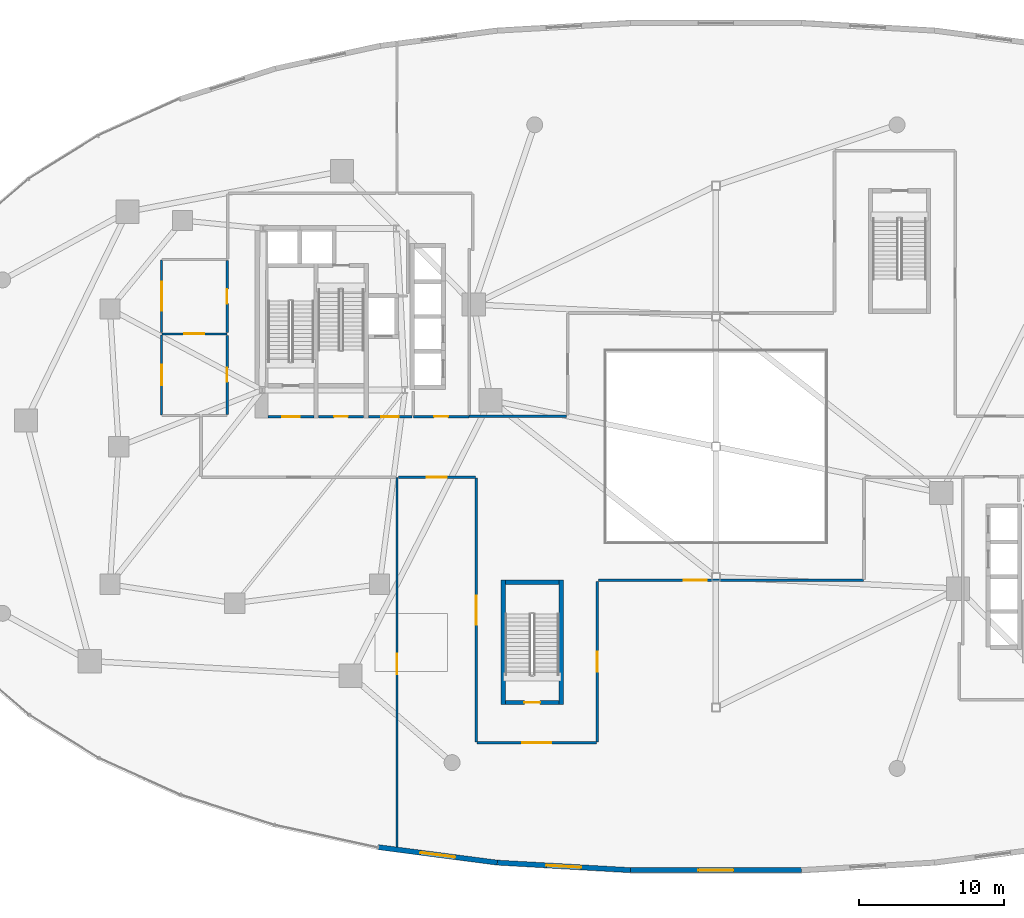
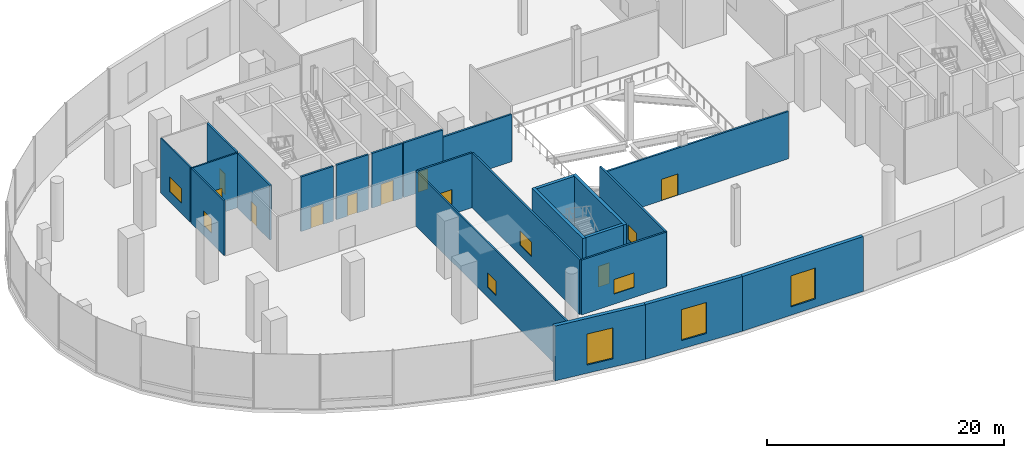
# One storey, part 12 of 20: 23 walls, 11 windows, 8 doors, 19 openings.
"""IFC4 building model written with IfcOpenShell, lengths in metres."""

from ifc_helpers import new_model, si_unit, direction, frame, frame_2d, origin, place, context, subcontext, project, spatial, rectangle, extrude, material, layer, layer_set, type_object, element, fill, save


model = new_model("IFC4")

# Units and contexts
model_context = context("Model", 3, precision=1e-05, world=origin(), true_north=direction((0.0, 1.0)))
body_context = subcontext(model_context, "Body", "Model", "MODEL_VIEW")
ifc_project = project(units=[si_unit("LENGTHUNIT", "METRE"), si_unit("AREAUNIT", "SQUARE_METRE"), si_unit("VOLUMEUNIT", "CUBIC_METRE"), si_unit("PLANEANGLEUNIT", "RADIAN"), si_unit("MASSUNIT", "GRAM", prefix="KILO"), si_unit("THERMODYNAMICTEMPERATUREUNIT", "KELVIN"), si_unit("POWERUNIT", "WATT")], contexts=[model_context])

# Site, building, storey
site_placement = place(None, origin())
site = spatial("IfcSite", under=ifc_project, at=site_placement, CompositionType="ELEMENT")
building_placement = place(site_placement, origin())
building = spatial("IfcBuilding", under=site, at=building_placement, Name="Cundina Bronze Exchange", CompositionType="ELEMENT")
storey_placement = place(building_placement, frame((0.0, 0.0, 6.0)))
storey = spatial("IfcBuildingStorey", under=building, at=storey_placement, Name="L01", CompositionType="ELEMENT", Elevation=6.0)

# Wall, opening, door
ifc_material_1 = material(Name="Gypsum Fireboard Partition EI120")
ifc_layer_1 = layer(ifc_material_1, 0.179931640625, Name="Gypsum Fireboard Partition EI120")
ifc_layer_set_1 = layer_set([ifc_layer_1], Name="Gypsum Fireboard Partition EI120")
wall_type_1 = type_object("IfcWallType", Name="WL-COR-180", PredefinedType="PARTITIONING", material=ifc_layer_set_1)
wall_1_placement = place(storey_placement, frame((-23.97998046875, 2.06005859375, 0.0), z_axis=(0.0, 0.0, 1.0), x_axis=(1.0, 0.0, 0.0)))
wall_1 = element("IfcWall", 1, at=wall_1_placement, inside=storey, type_object=wall_type_1, Name="L01 W Firefighting Lobby Exit Wall", PredefinedType="PARTITIONING", context=body_context, shape_type="SweptSolid", body=[
    extrude(rectangle(XDim=3.0, YDim=0.179931640625, at=frame_2d((1.5, 0.0))), origin(), (0.0, 0.0, 1.0), 5.64990234375),
])
opening_1_placement = place(wall_1_placement, frame((0.89990234375, 0.0, 0.0)))
opening_1 = element("IfcOpeningElement", 2, at=opening_1_placement, cuts=wall_1, Name="Opening DF-01", PredefinedType="OPENING", context=body_context, shape_type="SweptSolid", body=[
    extrude(rectangle(XDim=1.199951171875, YDim=2.14990234375, at=frame_2d((0.60009765625, 1.074951171875))), frame((0.0, 0.099853515625, 0.0), z_axis=(0.0, -1.0, 0.0), x_axis=(1.0, 0.0, 0.0)), (0.0, 0.0, 1.0), 0.199951171875),
])
ifc_material_2 = material(Name="Steel ASTM A36 Painted", Category="steel")
door_type_1 = type_object("IfcDoorType", Name="DR-FFL-1200", OperationType="NOTDEFINED", PredefinedType="DOOR", material=ifc_material_2)
door_1_placement = place(opening_1_placement, origin())
door_1 = element("IfcDoor", 3, at=door_1_placement, inside=storey, type_object=door_type_1, Name="L01 W Firefighting Lobby Door", OperationType="SINGLE_SWING_RIGHT", OverallHeight=2.14990234375, OverallWidth=1.199951171875, PredefinedType="DOOR", context=body_context, shape_type="SweptSolid", body=[
    extrude(rectangle(XDim=1.199951171875, YDim=2.14990234375, at=frame_2d((0.60009765625, 1.074951171875))), frame((0.0, 0.02490234375, 0.0), z_axis=(0.0, -1.0, 0.0), x_axis=(1.0, 0.0, 0.0)), (0.0, 0.0, 1.0), 0.050048828125),
])
fill(opening_1, door_1)

wall_2_placement = place(storey_placement, frame((-30.89990234375, 2.06005859375, 0.0), z_axis=(0.0, 0.0, 1.0), x_axis=(1.0, 0.0, 0.0)))
wall_2 = element("IfcWall", 4, at=wall_2_placement, inside=storey, type_object=wall_type_1, Name="L01 W Stair Vestibule Exit Wall", PredefinedType="PARTITIONING", context=body_context, shape_type="SweptSolid", body=[
    extrude(rectangle(XDim=3.159912109375, YDim=0.179931640625, at=frame_2d((1.580078125, 0.0))), origin(), (0.0, 0.0, 1.0), 5.64990234375),
])
opening_2_placement = place(wall_2_placement, frame((0.97998046875, 0.0, 0.0)))
opening_2 = element("IfcOpeningElement", 5, at=opening_2_placement, cuts=wall_2, Name="Opening DF-01", PredefinedType="OPENING", context=body_context, shape_type="SweptSolid", body=[
    extrude(rectangle(XDim=1.199951171875, YDim=2.14990234375, at=frame_2d((0.60009765625, 1.074951171875))), frame((0.0, 0.099853515625, 0.0), z_axis=(0.0, -1.0, 0.0), x_axis=(1.0, 0.0, 0.0)), (0.0, 0.0, 1.0), 0.199951171875),
])
door_2_placement = place(opening_2_placement, origin())
door_2 = element("IfcDoor", 6, at=door_2_placement, inside=storey, type_object=door_type_1, Name="L01 W Stair Vestibule Door", OperationType="SINGLE_SWING_LEFT", OverallHeight=2.14990234375, OverallWidth=1.199951171875, PredefinedType="DOOR", context=body_context, shape_type="SweptSolid", body=[
    extrude(rectangle(XDim=1.199951171875, YDim=2.14990234375, at=frame_2d((0.60009765625, 1.074951171875))), frame((0.0, 0.02490234375, 0.0), z_axis=(0.0, -1.0, 0.0), x_axis=(1.0, 0.0, 0.0)), (0.0, 0.0, 1.0), 0.050048828125),
])
fill(opening_2, door_2)

wall_3_placement = place(storey_placement, frame((-20.8701171875, 2.070068359375, 0.0), z_axis=(0.0, 0.0, 1.0), x_axis=(1.0, 0.0, 0.0)))
wall_3 = element("IfcWall", 7, at=wall_3_placement, inside=storey, type_object=wall_type_1, Name="L01 Interior Partition 002", PredefinedType="PARTITIONING", context=body_context, shape_type="SweptSolid", body=[
    extrude(rectangle(XDim=3.830078125, YDim=0.179931640625, at=frame_2d((1.9150390625, 0.0))), origin(), (0.0, 0.0, 1.0), 5.64990234375),
])
opening_3_placement = place(wall_3_placement, frame((1.43994140625, 0.0, 0.0)))
opening_3 = element("IfcOpeningElement", 8, at=opening_3_placement, cuts=wall_3, Name="Opening DW-01", PredefinedType="OPENING", context=body_context, shape_type="SweptSolid", body=[
    extrude(rectangle(XDim=0.949951171875, YDim=2.10009765625, at=frame_2d((0.47509765625, 1.050048828125))), frame((0.0, 0.099853515625, 0.0), z_axis=(0.0, -1.0, 0.0), x_axis=(1.0, 0.0, 0.0)), (0.0, 0.0, 1.0), 0.199951171875),
])
ifc_material_3 = material(Name="Solid Andean Oak Timber Grade A", Category="wood")
door_type_2 = type_object("IfcDoorType", Name="DR-WC-950", OperationType="NOTDEFINED", PredefinedType="DOOR", material=ifc_material_3)
door_3_placement = place(opening_3_placement, origin())
door_3 = element("IfcDoor", 9, at=door_3_placement, inside=storey, type_object=door_type_2, Name="L01 Interior Door 002", OperationType="SINGLE_SWING_LEFT", OverallHeight=2.10009765625, OverallWidth=0.949951171875, PredefinedType="DOOR", context=body_context, shape_type="SweptSolid", body=[
    extrude(rectangle(XDim=0.949951171875, YDim=2.10009765625, at=frame_2d((0.47509765625, 1.050048828125))), frame((0.0, 0.02490234375, 0.0), z_axis=(0.0, -1.0, 0.0), x_axis=(1.0, 0.0, 0.0)), (0.0, 0.0, 1.0), 0.050048828125),
])
fill(opening_3, door_3)

wall_4_placement = place(storey_placement, frame((-27.419921875, 2.070068359375, 0.0), z_axis=(0.0, 0.0, 1.0), x_axis=(1.0, 0.0, 0.0)))
wall_4 = element("IfcWall", 10, at=wall_4_placement, inside=storey, type_object=wall_type_1, Name="L01 Interior Partition 005", PredefinedType="PARTITIONING", context=body_context, shape_type="SweptSolid", body=[
    extrude(rectangle(XDim=3.119873046875, YDim=0.179931640625, at=frame_2d((1.56005859375, 0.0))), origin(), (0.0, 0.0, 1.0), 5.64990234375),
])
opening_4_placement = place(wall_4_placement, frame((1.0849609375, 0.0, 0.0)))
opening_4 = element("IfcOpeningElement", 11, at=opening_4_placement, cuts=wall_4, Name="Opening DW-01", PredefinedType="OPENING", context=body_context, shape_type="SweptSolid", body=[
    extrude(rectangle(XDim=0.949951171875, YDim=2.10009765625, at=frame_2d((0.47509765625, 1.050048828125))), frame((0.0, 0.099853515625, 0.0), z_axis=(0.0, -1.0, 0.0), x_axis=(1.0, 0.0, 0.0)), (0.0, 0.0, 1.0), 0.199951171875),
])
door_4_placement = place(opening_4_placement, origin())
door_4 = element("IfcDoor", 12, at=door_4_placement, inside=storey, type_object=door_type_2, Name="L01 Interior Door 005", OperationType="SINGLE_SWING_LEFT", OverallHeight=2.10009765625, OverallWidth=0.949951171875, PredefinedType="DOOR", context=body_context, shape_type="SweptSolid", body=[
    extrude(rectangle(XDim=0.949951171875, YDim=2.10009765625, at=frame_2d((0.47509765625, 1.050048828125))), frame((0.0, 0.02490234375, 0.0), z_axis=(0.0, -1.0, 0.0), x_axis=(1.0, 0.0, 0.0)), (0.0, 0.0, 1.0), 0.050048828125),
])
fill(opening_4, door_4)

wall_5_placement = place(storey_placement, frame((-33.719970703125, 2.219970703125, 0.0), z_axis=(0.0, 0.0, 1.0), x_axis=(0.0, 1.0, 0.0)))
wall_5 = element("IfcWall", 13, at=wall_5_placement, inside=storey, type_object=wall_type_1, Name="L01 Interior Partition 017", PredefinedType="PARTITIONING", context=body_context, shape_type="SweptSolid", body=[
    extrude(rectangle(XDim=5.4599609375, YDim=0.179931640625, at=frame_2d((2.72998046875, 0.0))), origin(), (0.0, 0.0, 1.0), 5.64990234375),
])
opening_5_placement = place(wall_5_placement, frame((2.2548828125, 0.0, 0.0)))
opening_5 = element("IfcOpeningElement", 14, at=opening_5_placement, cuts=wall_5, Name="Opening DW-01", PredefinedType="OPENING", context=body_context, shape_type="SweptSolid", body=[
    extrude(rectangle(XDim=0.949951171875, YDim=2.10009765625, at=frame_2d((0.47509765625, 1.050048828125))), frame((0.0, 0.099853515625, 0.0), z_axis=(0.0, -1.0, 0.0), x_axis=(1.0, 0.0, 0.0)), (0.0, 0.0, 1.0), 0.199951171875),
])
door_5_placement = place(opening_5_placement, origin())
door_5 = element("IfcDoor", 15, at=door_5_placement, inside=storey, type_object=door_type_2, Name="L01 Interior Door 017", OperationType="SINGLE_SWING_LEFT", OverallHeight=2.10009765625, OverallWidth=0.949951171875, PredefinedType="DOOR", context=body_context, shape_type="SweptSolid", body=[
    extrude(rectangle(XDim=0.949951171875, YDim=2.10009765625, at=frame_2d((0.47509765625, 1.050048828125))), frame((0.0, 0.02490234375, 0.0), z_axis=(0.0, -1.0, 0.0), x_axis=(1.0, 0.0, 0.0)), (0.0, 0.0, 1.0), 0.050048828125),
])
fill(opening_5, door_5)

wall_6_placement = place(storey_placement, frame((-33.719970703125, 7.8798828125, 0.0), z_axis=(0.0, 0.0, 1.0), x_axis=(0.0, 1.0, 0.0)))
wall_6 = element("IfcWall", 16, at=wall_6_placement, inside=storey, type_object=wall_type_1, Name="L01 Interior Partition 018", PredefinedType="PARTITIONING", context=body_context, shape_type="SweptSolid", body=[
    extrude(rectangle(XDim=4.960205078125, YDim=0.179931640625, at=frame_2d((2.47998046875, 0.0))), origin(), (0.0, 0.0, 1.0), 5.64990234375),
])
opening_6_placement = place(wall_6_placement, frame((1.97998046875, 0.0, 0.0)))
opening_6 = element("IfcOpeningElement", 17, at=opening_6_placement, cuts=wall_6, Name="Opening DO-01", PredefinedType="OPENING", context=body_context, shape_type="SweptSolid", body=[
    extrude(rectangle(XDim=1.0, YDim=2.14990234375, at=frame_2d((0.5, 1.074951171875))), frame((0.0, 0.099853515625, 0.0), z_axis=(0.0, -1.0, 0.0), x_axis=(1.0, 0.0, 0.0)), (0.0, 0.0, 1.0), 0.199951171875),
])
door_type_3 = type_object("IfcDoorType", Name="DR-OFF-1000", OperationType="NOTDEFINED", PredefinedType="DOOR", material=ifc_material_3)
door_6_placement = place(opening_6_placement, origin())
door_6 = element("IfcDoor", 18, at=door_6_placement, inside=storey, type_object=door_type_3, Name="L01 Interior Door 018", OperationType="SINGLE_SWING_RIGHT", OverallHeight=2.14990234375, OverallWidth=1.0, PredefinedType="DOOR", context=body_context, shape_type="SweptSolid", body=[
    extrude(rectangle(XDim=1.0, YDim=2.14990234375, at=frame_2d((0.5, 1.074951171875))), frame((0.0, 0.02490234375, 0.0), z_axis=(0.0, -1.0, 0.0), x_axis=(1.0, 0.0, 0.0)), (0.0, 0.0, 1.0), 0.050048828125),
])
fill(opening_6, door_6)

wall_7_placement = place(storey_placement, frame((-8.10009765625, -9.219970703125, 0.0), z_axis=(0.0, 0.0, 1.0), x_axis=(1.0, 0.0, 0.0)))
wall_7 = element("IfcWall", 19, at=wall_7_placement, inside=storey, type_object=wall_type_1, Name="L01 Interior Partition 023", PredefinedType="PARTITIONING", context=body_context, shape_type="SweptSolid", body=[
    extrude(rectangle(XDim=18.278564453125, YDim=0.179931640625, at=frame_2d((9.13916015625, 0.0))), origin(), (0.0, 0.0, 1.0), 4.876953125),
])
opening_7_placement = place(wall_7_placement, frame((5.87353515625, 0.0, 0.0)))
opening_7 = element("IfcOpeningElement", 20, at=opening_7_placement, cuts=wall_7, Name="Opening DO-02", PredefinedType="OPENING", context=body_context, shape_type="SweptSolid", body=[
    extrude(rectangle(XDim=1.60009765625, YDim=2.199951171875, at=frame_2d((0.800048828125, 1.10009765625))), frame((0.0, 0.099853515625, 0.0), z_axis=(0.0, -1.0, 0.0), x_axis=(1.0, 0.0, 0.0)), (0.0, 0.0, 1.0), 0.199951171875),
])
door_type_4 = type_object("IfcDoorType", Name="DR-TRD-1600", OperationType="NOTDEFINED", PredefinedType="DOOR", material=ifc_material_3)
door_7_placement = place(opening_7_placement, origin())
door_7 = element("IfcDoor", 21, at=door_7_placement, inside=storey, type_object=door_type_4, Name="L01 Interior Door 023", OperationType="SINGLE_SWING_LEFT", OverallHeight=2.199951171875, OverallWidth=1.60009765625, PredefinedType="DOOR", context=body_context, shape_type="SweptSolid", body=[
    extrude(rectangle(XDim=1.60009765625, YDim=2.199951171875, at=frame_2d((0.800048828125, 1.10009765625))), frame((0.0, 0.02490234375, 0.0), z_axis=(0.0, -1.0, 0.0), x_axis=(1.0, 0.0, 0.0)), (0.0, 0.0, 1.0), 0.050048828125),
])
fill(opening_7, door_7)

# Wall, opening, window
wall_8_placement = place(storey_placement, frame((-16.52001953125, -2.179931640625, 0.0), z_axis=(0.0, 0.0, 1.0), x_axis=(0.0, -1.0, 0.0)))
wall_8 = element("IfcWall", 22, at=wall_8_placement, inside=storey, type_object=wall_type_1, Name="L01 Interior Partition 024", PredefinedType="PARTITIONING", context=body_context, shape_type="SweptSolid", body=[
    extrude(rectangle(XDim=18.198486328125, YDim=0.179931640625, at=frame_2d((9.09912109375, 0.0))), origin(), (0.0, 0.0, 1.0), 5.64990234375),
])
opening_8_placement = place(wall_8_placement, frame((8.09912109375, 0.0, 1.050048828125)))
opening_8 = element("IfcOpeningElement", 23, at=opening_8_placement, cuts=wall_8, Name="Opening WI-01", PredefinedType="OPENING", context=body_context, shape_type="SweptSolid", body=[
    extrude(rectangle(XDim=2.0, YDim=1.5, at=frame_2d((1.0, 0.75))), frame((0.0, 0.099853515625, 0.0), z_axis=(0.0, -1.0, 0.0), x_axis=(1.0, 0.0, 0.0)), (0.0, 0.0, 1.0), 0.199951171875),
])
ifc_material_4 = material(Name="Clear Low-E Insulating Glass 26mm", Category="glass")
window_type_1 = type_object("IfcWindowType", Name="WN-INT-2000", PartitioningType="SINGLE_PANEL", PredefinedType="WINDOW", material=ifc_material_4)
window_1_placement = place(opening_8_placement, origin())
window_1 = element("IfcWindow", 24, at=window_1_placement, inside=storey, type_object=window_type_1, Name="L01 Interior Acoustic Vision Window 024", OverallHeight=1.5, OverallWidth=2.0, PartitioningType="SINGLE_PANEL", PredefinedType="WINDOW", context=body_context, shape_type="SweptSolid", body=[
    extrude(rectangle(XDim=2.0, YDim=1.5, at=frame_2d((1.0, 0.75))), frame((0.0, 0.030029296875, 0.0), z_axis=(0.0, -1.0, 0.0), x_axis=(1.0, 0.0, 0.0)), (0.0, 0.0, 1.0), 0.06005859375),
])
fill(opening_8, window_1)

wall_9_placement = place(storey_placement, frame((-8.179931640625, -20.37841796875, 0.0), z_axis=(0.0, 0.0, 1.0), x_axis=(0.0, 1.0, 0.0)))
wall_9 = element("IfcWall", 25, at=wall_9_placement, inside=storey, type_object=wall_type_1, Name="L01 Interior Partition 025", PredefinedType="PARTITIONING", context=body_context, shape_type="SweptSolid", body=[
    extrude(rectangle(XDim=11.078369140625, YDim=0.179931640625, at=frame_2d((5.5390625, 0.0))), origin(), (0.0, 0.0, 1.0), 5.64990234375),
])
opening_9_placement = place(wall_9_placement, frame((4.839111328125, 0.0, 1.050048828125)))
opening_9 = element("IfcOpeningElement", 26, at=opening_9_placement, cuts=wall_9, Name="Opening WI-02", PredefinedType="OPENING", context=body_context, shape_type="SweptSolid", body=[
    extrude(rectangle(XDim=1.39990234375, YDim=1.5, at=frame_2d((0.699951171875, 0.75))), frame((0.0, 0.099853515625, 0.0), z_axis=(0.0, -1.0, 0.0), x_axis=(1.0, 0.0, 0.0)), (0.0, 0.0, 1.0), 0.199951171875),
])
window_type_2 = type_object("IfcWindowType", Name="WN-INT-1400", PartitioningType="SINGLE_PANEL", PredefinedType="WINDOW", material=ifc_material_4)
window_2_placement = place(opening_9_placement, origin())
window_2 = element("IfcWindow", 27, at=window_2_placement, inside=storey, type_object=window_type_2, Name="L01 Interior Acoustic Vision Window 025", OverallHeight=1.5, OverallWidth=1.39990234375, PartitioningType="SINGLE_PANEL", PredefinedType="WINDOW", context=body_context, shape_type="SweptSolid", body=[
    extrude(rectangle(XDim=1.39990234375, YDim=1.5, at=frame_2d((0.699951171875, 0.75))), frame((0.0, 0.030029296875, 0.0), z_axis=(0.0, -1.0, 0.0), x_axis=(1.0, 0.0, 0.0)), (0.0, 0.0, 1.0), 0.06005859375),
])
fill(opening_9, window_2)

wall_10_placement = place(storey_placement, frame((-16.478515625, -20.419921875, 0.0), z_axis=(0.0, 0.0, 1.0), x_axis=(1.0, 0.0, 0.0)))
wall_10 = element("IfcWall", 28, at=wall_10_placement, inside=storey, type_object=wall_type_1, Name="L01 Interior Partition 026", PredefinedType="PARTITIONING", context=body_context, shape_type="SweptSolid", body=[
    extrude(rectangle(XDim=8.257080078125, YDim=0.179931640625, at=frame_2d((4.12841796875, 0.0))), origin(), (0.0, 0.0, 1.0), 5.64990234375),
])
opening_10_placement = place(wall_10_placement, frame((3.1279296875, 0.0, 1.050048828125)))
opening_10 = element("IfcOpeningElement", 29, at=opening_10_placement, cuts=wall_10, Name="Opening WI-01", PredefinedType="OPENING", context=body_context, shape_type="SweptSolid", body=[
    extrude(rectangle(XDim=2.0, YDim=1.5, at=frame_2d((1.0, 0.75))), frame((0.0, 0.099853515625, 0.0), z_axis=(0.0, -1.0, 0.0), x_axis=(1.0, 0.0, 0.0)), (0.0, 0.0, 1.0), 0.199951171875),
])
window_3_placement = place(opening_10_placement, origin())
window_3 = element("IfcWindow", 30, at=window_3_placement, inside=storey, type_object=window_type_1, Name="L01 Interior Acoustic Vision Window 026", OverallHeight=1.5, OverallWidth=2.0, PartitioningType="SINGLE_PANEL", PredefinedType="WINDOW", context=body_context, shape_type="SweptSolid", body=[
    extrude(rectangle(XDim=2.0, YDim=1.5, at=frame_2d((1.0, 0.75))), frame((0.0, 0.030029296875, 0.0), z_axis=(0.0, -1.0, 0.0), x_axis=(1.0, 0.0, 0.0)), (0.0, 0.0, 1.0), 0.06005859375),
])
fill(opening_10, window_3)

wall_11_placement = place(storey_placement, frame((-21.905029296875, -2.10009765625, 0.0), z_axis=(0.0, 0.0, 1.0), x_axis=(1.0, 0.0, 0.0)))
wall_11 = element("IfcWall", 31, at=wall_11_placement, inside=storey, type_object=wall_type_1, Name="L01 Interior Partition 029", PredefinedType="PARTITIONING", context=body_context, shape_type="SweptSolid", body=[
    extrude(rectangle(XDim=5.304931640625, YDim=0.179931640625, at=frame_2d((2.65234375, 0.0))), origin(), (0.0, 0.0, 1.0), 5.64990234375),
])
opening_11_placement = place(wall_11_placement, frame((1.951904296875, 0.0, 1.050048828125)))
opening_11 = element("IfcOpeningElement", 32, at=opening_11_placement, cuts=wall_11, Name="Opening WI-02", PredefinedType="OPENING", context=body_context, shape_type="SweptSolid", body=[
    extrude(rectangle(XDim=1.39990234375, YDim=1.5, at=frame_2d((0.699951171875, 0.75))), frame((0.0, 0.099853515625, 0.0), z_axis=(0.0, -1.0, 0.0), x_axis=(1.0, 0.0, 0.0)), (0.0, 0.0, 1.0), 0.199951171875),
])
window_4_placement = place(opening_11_placement, origin())
window_4 = element("IfcWindow", 33, at=window_4_placement, inside=storey, type_object=window_type_2, Name="L01 Interior Acoustic Vision Window 029", OverallHeight=1.5, OverallWidth=1.39990234375, PartitioningType="SINGLE_PANEL", PredefinedType="WINDOW", context=body_context, shape_type="SweptSolid", body=[
    extrude(rectangle(XDim=1.39990234375, YDim=1.5, at=frame_2d((0.699951171875, 0.75))), frame((0.0, 0.030029296875, 0.0), z_axis=(0.0, -1.0, 0.0), x_axis=(1.0, 0.0, 0.0)), (0.0, 0.0, 1.0), 0.06005859375),
])
fill(opening_11, window_4)

# Wall
wall_12_placement = place(storey_placement, frame((-10.300048828125, 2.10009765625, 0.0), z_axis=(0.0, 0.0, 1.0), x_axis=(-1.0, 0.0, 0.0)))
element("IfcWall", 34, at=wall_12_placement, inside=storey, type_object=wall_type_1, Name="L01 Interior Partition 046", PredefinedType="PARTITIONING", context=body_context, shape_type="SweptSolid", body=[
    extrude(rectangle(XDim=6.739990234375, YDim=0.179931640625, at=frame_2d((3.3701171875, 0.0))), origin(), (0.0, 0.0, 1.0), 4.876953125),
])

# Wall, opening, window
ifc_material_5 = material(Name="Concrete C40/50", Category="concrete")
ifc_layer_2 = layer(ifc_material_5, 0.35009765625, Name="Concrete C40/50", Category="concrete")
ifc_layer_set_2 = layer_set([ifc_layer_2], Name="Concrete C40/50")
wall_type_2 = type_object("IfcWallType", Name="WL-EXT-350", PredefinedType="SOLIDWALL", material=ifc_layer_set_2)
wall_13_placement = place(storey_placement, frame((-23.29345703125, -27.63232421875, 0.0), z_axis=(0.0, 0.0, 1.0), x_axis=(0.99168663472, -0.128676410104, 0.0)))
wall_13 = element("IfcWall", 35, at=wall_13_placement, inside=storey, type_object=wall_type_2, Name="L01 Podium Exterior Wall 30", PredefinedType="SOLIDWALL", context=body_context, shape_type="SweptSolid", body=[
    extrude(rectangle(XDim=8.28369140625, YDim=0.35009765625, at=frame_2d((4.141845703125, 0.0))), origin(), (0.0, 0.0, 1.0), 5.64990234375),
])
opening_12_placement = place(wall_13_placement, frame((2.94189453125, 0.0, 0.85009765625)))
opening_12 = element("IfcOpeningElement", 36, at=opening_12_placement, cuts=wall_13, Name="Opening W-01", PredefinedType="OPENING", context=body_context, shape_type="SweptSolid", body=[
    extrude(rectangle(XDim=2.39990234375, YDim=3.199951171875, at=frame_2d((1.199951171875, 1.60009765625))), frame((0.0, 0.18505859375, 0.0), z_axis=(0.0, -1.0, 0.0), x_axis=(1.0, 0.0, 0.0)), (0.0, 0.0, 1.0), 0.3701171875),
])
ifc_material_6 = material(Name="Heat-Strengthened Solar-Control Bronze Safety Glass 28mm", Category="glass")
window_type_3 = type_object("IfcWindowType", Name="WN-POD-2400", PartitioningType="SINGLE_PANEL", PredefinedType="WINDOW", material=ifc_material_6)
window_5_placement = place(opening_12_placement, origin())
window_5 = element("IfcWindow", 37, at=window_5_placement, inside=storey, type_object=window_type_3, Name="L01 Podium Punched Window 30", OverallHeight=3.199951171875, OverallWidth=2.39990234375, PartitioningType="SINGLE_PANEL", PredefinedType="WINDOW", context=body_context, shape_type="SweptSolid", body=[
    extrude(rectangle(XDim=2.39990234375, YDim=3.199951171875, at=frame_2d((1.199951171875, 1.60009765625))), frame((0.0, 0.030029296875, 0.0), z_axis=(0.0, -1.0, 0.0), x_axis=(1.0, 0.0, 0.0)), (0.0, 0.0, 1.0), 0.06005859375),
])
fill(opening_12, window_5)

wall_14_placement = place(storey_placement, frame((-15.07861328125, -28.6982421875, 0.0), z_axis=(0.0, 0.0, 1.0), x_axis=(0.998413463137, -0.056307695976, 0.0)))
wall_14 = element("IfcWall", 38, at=wall_14_placement, inside=storey, type_object=wall_type_2, Name="L01 Podium Exterior Wall 31", PredefinedType="SOLIDWALL", context=body_context, shape_type="SweptSolid", body=[
    extrude(rectangle(XDim=9.20068359375, YDim=0.35009765625, at=frame_2d((4.600341796875, 0.0))), origin(), (0.0, 0.0, 1.0), 5.64990234375),
])
opening_13_placement = place(wall_14_placement, frame((3.39990234375, 0.0, 0.85009765625)))
opening_13 = element("IfcOpeningElement", 39, at=opening_13_placement, cuts=wall_14, Name="Opening W-01", PredefinedType="OPENING", context=body_context, shape_type="SweptSolid", body=[
    extrude(rectangle(XDim=2.39990234375, YDim=3.199951171875, at=frame_2d((1.199951171875, 1.60009765625))), frame((0.0, 0.18505859375, 0.0), z_axis=(0.0, -1.0, 0.0), x_axis=(1.0, 0.0, 0.0)), (0.0, 0.0, 1.0), 0.3701171875),
])
window_6_placement = place(opening_13_placement, origin())
window_6 = element("IfcWindow", 40, at=window_6_placement, inside=storey, type_object=window_type_3, Name="L01 Podium Punched Window 31", OverallHeight=3.199951171875, OverallWidth=2.39990234375, PartitioningType="SINGLE_PANEL", PredefinedType="WINDOW", context=body_context, shape_type="SweptSolid", body=[
    extrude(rectangle(XDim=2.39990234375, YDim=3.199951171875, at=frame_2d((1.199951171875, 1.60009765625))), frame((0.0, 0.030029296875, 0.0), z_axis=(0.0, -1.0, 0.0), x_axis=(1.0, 0.0, 0.0)), (0.0, 0.0, 1.0), 0.06005859375),
])
fill(opening_13, window_6)

wall_15_placement = place(storey_placement, frame((-5.892578125, -29.21630859375, 0.0), z_axis=(0.0, 0.0, 1.0), x_axis=(1.0, 0.0, 0.0)))
wall_15 = element("IfcWall", 41, at=wall_15_placement, inside=storey, type_object=wall_type_2, Name="L01 Podium Exterior Wall 32", PredefinedType="SOLIDWALL", context=body_context, shape_type="SweptSolid", body=[
    extrude(rectangle(XDim=11.78515625, YDim=0.35009765625, at=frame_2d((5.892578125, 0.0))), origin(), (0.0, 0.0, 1.0), 5.64990234375),
])
opening_14_placement = place(wall_15_placement, frame((4.69189453125, 0.0, 0.85009765625)))
opening_14 = element("IfcOpeningElement", 42, at=opening_14_placement, cuts=wall_15, Name="Opening W-01", PredefinedType="OPENING", context=body_context, shape_type="SweptSolid", body=[
    extrude(rectangle(XDim=2.39990234375, YDim=3.199951171875, at=frame_2d((1.199951171875, 1.60009765625))), frame((0.0, 0.18505859375, 0.0), z_axis=(0.0, -1.0, 0.0), x_axis=(1.0, 0.0, 0.0)), (0.0, 0.0, 1.0), 0.3701171875),
])
window_7_placement = place(opening_14_placement, origin())
window_7 = element("IfcWindow", 43, at=window_7_placement, inside=storey, type_object=window_type_3, Name="L01 Podium Punched Window 32", OverallHeight=3.199951171875, OverallWidth=2.39990234375, PartitioningType="SINGLE_PANEL", PredefinedType="WINDOW", context=body_context, shape_type="SweptSolid", body=[
    extrude(rectangle(XDim=2.39990234375, YDim=3.199951171875, at=frame_2d((1.199951171875, 1.60009765625))), frame((0.0, 0.030029296875, 0.0), z_axis=(0.0, -1.0, 0.0), x_axis=(1.0, 0.0, 0.0)), (0.0, 0.0, 1.0), 0.06005859375),
])
fill(opening_14, window_7)

# Walls
ifc_material_7 = material(Name="Concrete C50/60", Category="concrete")
ifc_layer_3 = layer(ifc_material_7, 0.300048828125, Name="Concrete C50/60", Category="concrete")
ifc_layer_set_3 = layer_set([ifc_layer_3], Name="Concrete C50/60")
wall_type_3 = type_object("IfcWallType", Name="WL-SHFT-300", PredefinedType="SHEAR", material=ifc_layer_set_3)
for number, where, z_axis, x_axis, name in (
    (44, (-14.669921875, -17.800048828125, 0.0), (0.0, 0.0, 1.0), (0.0, 1.0, 0.0), "L01 Concourse Stair W West Shaft Wall"),
    (45, (-10.669921875, -17.800048828125, 0.0), (0.0, 0.0, 1.0), (0.0, 1.0, 0.0), "L01 Concourse Stair W East Shaft Wall"),
):
    element("IfcWall", number, at=place(storey_placement, frame(where, z_axis=z_axis, x_axis=x_axis)), inside=storey, type_object=wall_type_3, Name=name, PredefinedType="SHEAR", context=body_context, shape_type="SweptSolid", body=[
        extrude(rectangle(XDim=8.60009765625, YDim=0.300048828125, at=frame_2d((4.300048828125, 0.0))), origin(), (0.0, 0.0, 1.0), 5.64990234375),
    ])

# Wall, opening, door
wall_16_placement = place(storey_placement, frame((-14.52001953125, -17.64990234375, 0.0), z_axis=(0.0, 0.0, 1.0), x_axis=(1.0, 0.0, 0.0)))
wall_16 = element("IfcWall", 46, at=wall_16_placement, inside=storey, type_object=wall_type_3, Name="L01 Concourse Stair W Landing Wall", PredefinedType="SHEAR", context=body_context, shape_type="SweptSolid", body=[
    extrude(rectangle(XDim=3.699951171875, YDim=0.300048828125, at=frame_2d((1.85009765625, 0.0))), origin(), (0.0, 0.0, 1.0), 5.64990234375),
])
opening_15_placement = place(wall_16_placement, frame((1.300048828125, 0.0, 0.0)))
opening_15 = element("IfcOpeningElement", 47, at=opening_15_placement, cuts=wall_16, Name="Opening DS-01", PredefinedType="OPENING", context=body_context, shape_type="SweptSolid", body=[
    extrude(rectangle(XDim=1.10009765625, YDim=2.14990234375, at=frame_2d((0.550048828125, 1.074951171875))), frame((0.0, 0.159912109375, 0.0), z_axis=(0.0, -1.0, 0.0), x_axis=(1.0, 0.0, 0.0)), (0.0, 0.0, 1.0), 0.320068359375),
])
door_type_5 = type_object("IfcDoorType", Name="DR-STR-1100", OperationType="NOTDEFINED", PredefinedType="DOOR", material=ifc_material_2)
door_8_placement = place(opening_15_placement, origin())
door_8 = element("IfcDoor", 48, at=door_8_placement, inside=storey, type_object=door_type_5, Name="L01 Concourse Stair W Door", OperationType="SINGLE_SWING_LEFT", OverallHeight=2.14990234375, OverallWidth=1.10009765625, PredefinedType="DOOR", context=body_context, shape_type="SweptSolid", body=[
    extrude(rectangle(XDim=1.10009765625, YDim=2.14990234375, at=frame_2d((0.550048828125, 1.074951171875))), frame((0.0, 0.02490234375, 0.0), z_axis=(0.0, -1.0, 0.0), x_axis=(1.0, 0.0, 0.0)), (0.0, 0.0, 1.0), 0.050048828125),
])
fill(opening_15, door_8)

# Wall
wall_17_placement = place(storey_placement, frame((-14.52001953125, -9.35009765625, 0.0), z_axis=(0.0, 0.0, 1.0), x_axis=(1.0, 0.0, 0.0)))
element("IfcWall", 49, at=wall_17_placement, inside=storey, type_object=wall_type_3, Name="L01 Concourse Stair W Far Shaft Wall", PredefinedType="SHEAR", context=body_context, shape_type="SweptSolid", body=[
    extrude(rectangle(XDim=3.699951171875, YDim=0.300048828125, at=frame_2d((1.85009765625, 0.0))), origin(), (0.0, 0.0, 1.0), 5.64990234375),
])

# Wall, opening, window
ifc_material_8 = material(Name="Gypsum Acoustic Partition EI60")
ifc_layer_4 = layer(ifc_material_8, 0.14990234375, Name="Gypsum Acoustic Partition EI60")
ifc_layer_set_4 = layer_set([ifc_layer_4], Name="Gypsum Acoustic Partition EI60")
wall_type_4 = type_object("IfcWallType", Name="WL-TEN-150", PredefinedType="PARTITIONING", material=ifc_layer_set_4)
wall_18_placement = place(storey_placement, frame((-22.0, -27.8798828125, 0.0), z_axis=(0.0, 0.0, 1.0), x_axis=(0.0, 1.0, 0.0)))
wall_18 = element("IfcWall", 50, at=wall_18_placement, inside=storey, type_object=wall_type_4, Name="L01 Interior Partition 019", PredefinedType="PARTITIONING", context=body_context, shape_type="SweptSolid", body=[
    extrude(rectangle(XDim=25.75, YDim=0.14990234375, at=frame_2d((12.875, 0.0))), origin(), (0.0, 0.0, 1.0), 5.64990234375),
])
opening_16_placement = place(wall_18_placement, frame((12.175048828125, 0.0, 1.050048828125)))
opening_16 = element("IfcOpeningElement", 51, at=opening_16_placement, cuts=wall_18, Name="Opening WI-02", PredefinedType="OPENING", context=body_context, shape_type="SweptSolid", body=[
    extrude(rectangle(XDim=1.39990234375, YDim=1.5, at=frame_2d((0.699951171875, 0.75))), frame((0.0, 0.0849609375, 0.0), z_axis=(0.0, -1.0, 0.0), x_axis=(1.0, 0.0, 0.0)), (0.0, 0.0, 1.0), 0.169921875),
])
window_8_placement = place(opening_16_placement, origin())
window_8 = element("IfcWindow", 52, at=window_8_placement, inside=storey, type_object=window_type_2, Name="L01 Interior Acoustic Vision Window 019", OverallHeight=1.5, OverallWidth=1.39990234375, PartitioningType="SINGLE_PANEL", PredefinedType="WINDOW", context=body_context, shape_type="SweptSolid", body=[
    extrude(rectangle(XDim=1.39990234375, YDim=1.5, at=frame_2d((0.699951171875, 0.75))), frame((0.0, 0.030029296875, 0.0), z_axis=(0.0, -1.0, 0.0), x_axis=(1.0, 0.0, 0.0)), (0.0, 0.0, 1.0), 0.06005859375),
])
fill(opening_16, window_8)

ifc_material_9 = material(Name="Moisture-Resistant Masonry Block Grade M15", Category="masonry")
ifc_layer_5 = layer(ifc_material_9, 0.139892578125, Name="Moisture-Resistant Masonry Block Grade M15", Category="masonry")
ifc_layer_set_5 = layer_set([ifc_layer_5], Name="Moisture-Resistant Masonry Block Grade M15")
wall_type_5 = type_object("IfcWallType", Name="WL-WET-140", PredefinedType="PARTITIONING", material=ifc_layer_set_5)
wall_19_placement = place(storey_placement, frame((-38.239990234375, 2.179931640625, 0.0), z_axis=(0.0, 0.0, 1.0), x_axis=(0.0, 1.0, 0.0)))
wall_19 = element("IfcWall", 53, at=wall_19_placement, inside=storey, type_object=wall_type_5, Name="L01 Interior Partition 011", PredefinedType="PARTITIONING", context=body_context, shape_type="SweptSolid", body=[
    extrude(rectangle(XDim=5.51513671875, YDim=0.139892578125, at=frame_2d((2.757568359375, 0.0))), origin(), (0.0, 0.0, 1.0), 5.64990234375),
])
opening_17_placement = place(wall_19_placement, frame((2.05810546875, 0.0, 1.050048828125)))
opening_17 = element("IfcOpeningElement", 54, at=opening_17_placement, cuts=wall_19, Name="Opening WI-02", PredefinedType="OPENING", context=body_context, shape_type="SweptSolid", body=[
    extrude(rectangle(XDim=1.39990234375, YDim=1.5, at=frame_2d((0.699951171875, 0.75))), frame((0.0, 0.079833984375, 0.0), z_axis=(0.0, -1.0, 0.0), x_axis=(1.0, 0.0, 0.0)), (0.0, 0.0, 1.0), 0.159912109375),
])
window_9_placement = place(opening_17_placement, origin())
window_9 = element("IfcWindow", 55, at=window_9_placement, inside=storey, type_object=window_type_2, Name="L01 Interior Acoustic Vision Window 011", OverallHeight=1.5, OverallWidth=1.39990234375, PartitioningType="SINGLE_PANEL", PredefinedType="WINDOW", context=body_context, shape_type="SweptSolid", body=[
    extrude(rectangle(XDim=1.39990234375, YDim=1.5, at=frame_2d((0.699951171875, 0.75))), frame((0.0, 0.030029296875, 0.0), z_axis=(0.0, -1.0, 0.0), x_axis=(1.0, 0.0, 0.0)), (0.0, 0.0, 1.0), 0.06005859375),
])
fill(opening_17, window_9)

wall_20_placement = place(storey_placement, frame((-38.239990234375, 7.864990234375, 0.0), z_axis=(0.0, 0.0, 1.0), x_axis=(0.0, 1.0, 0.0)))
wall_20 = element("IfcWall", 56, at=wall_20_placement, inside=storey, type_object=wall_type_5, Name="L01 Interior Partition 012", PredefinedType="PARTITIONING", context=body_context, shape_type="SweptSolid", body=[
    extrude(rectangle(XDim=5.014892578125, YDim=0.139892578125, at=frame_2d((2.50732421875, 0.0))), origin(), (0.0, 0.0, 1.0), 5.64990234375),
])
opening_18_placement = place(wall_20_placement, frame((1.508056640625, 0.0, 1.050048828125)))
opening_18 = element("IfcOpeningElement", 57, at=opening_18_placement, cuts=wall_20, Name="Opening WI-01", PredefinedType="OPENING", context=body_context, shape_type="SweptSolid", body=[
    extrude(rectangle(XDim=2.0, YDim=1.5, at=frame_2d((1.0, 0.75))), frame((0.0, 0.079833984375, 0.0), z_axis=(0.0, -1.0, 0.0), x_axis=(1.0, 0.0, 0.0)), (0.0, 0.0, 1.0), 0.159912109375),
])
window_10_placement = place(opening_18_placement, origin())
window_10 = element("IfcWindow", 58, at=window_10_placement, inside=storey, type_object=window_type_1, Name="L01 Interior Acoustic Vision Window 012", OverallHeight=1.5, OverallWidth=2.0, PartitioningType="SINGLE_PANEL", PredefinedType="WINDOW", context=body_context, shape_type="SweptSolid", body=[
    extrude(rectangle(XDim=2.0, YDim=1.5, at=frame_2d((1.0, 0.75))), frame((0.0, 0.030029296875, 0.0), z_axis=(0.0, -1.0, 0.0), x_axis=(1.0, 0.0, 0.0)), (0.0, 0.0, 1.0), 0.06005859375),
])
fill(opening_18, window_10)

wall_21_placement = place(storey_placement, frame((-38.219970703125, 7.780029296875, 0.0), z_axis=(0.0, 0.0, 1.0), x_axis=(1.0, 0.0, 0.0)))
wall_21 = element("IfcWall", 59, at=wall_21_placement, inside=storey, type_object=wall_type_5, Name="L01 Interior Partition 015", PredefinedType="PARTITIONING", context=body_context, shape_type="SweptSolid", body=[
    extrude(rectangle(XDim=4.47998046875, YDim=0.139892578125, at=frame_2d((2.239990234375, 0.0))), origin(), (0.0, 0.0, 1.0), 5.64990234375),
])
opening_19_placement = place(wall_21_placement, frame((1.5400390625, 0.0, 1.050048828125)))
opening_19 = element("IfcOpeningElement", 60, at=opening_19_placement, cuts=wall_21, Name="Opening WI-02", PredefinedType="OPENING", context=body_context, shape_type="SweptSolid", body=[
    extrude(rectangle(XDim=1.39990234375, YDim=1.5, at=frame_2d((0.699951171875, 0.75))), frame((0.0, 0.079833984375, 0.0), z_axis=(0.0, -1.0, 0.0), x_axis=(1.0, 0.0, 0.0)), (0.0, 0.0, 1.0), 0.159912109375),
])
window_11_placement = place(opening_19_placement, origin())
window_11 = element("IfcWindow", 61, at=window_11_placement, inside=storey, type_object=window_type_2, Name="L01 Interior Acoustic Vision Window 015", OverallHeight=1.5, OverallWidth=1.39990234375, PartitioningType="SINGLE_PANEL", PredefinedType="WINDOW", context=body_context, shape_type="SweptSolid", body=[
    extrude(rectangle(XDim=1.39990234375, YDim=1.5, at=frame_2d((0.699951171875, 0.75))), frame((0.0, 0.030029296875, 0.0), z_axis=(0.0, -1.0, 0.0), x_axis=(1.0, 0.0, 0.0)), (0.0, 0.0, 1.0), 0.06005859375),
])
fill(opening_19, window_11)

save(model, "model.ifc")
